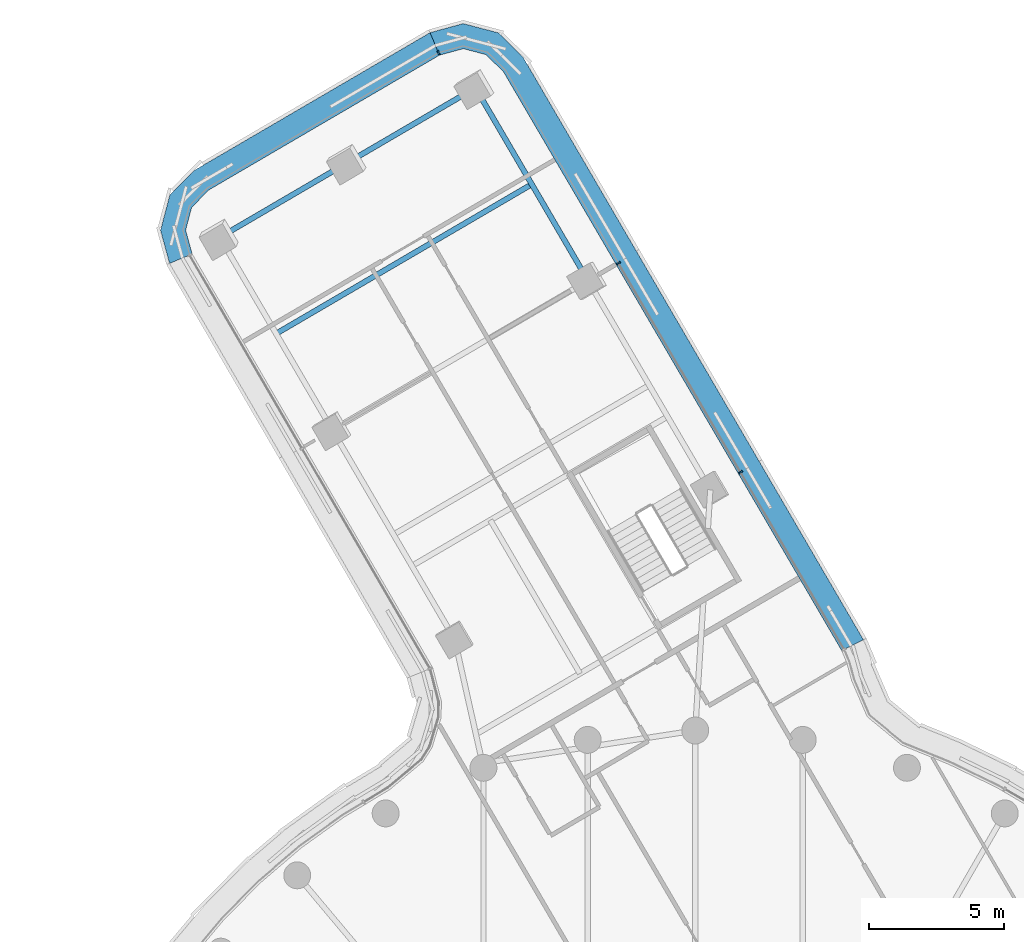
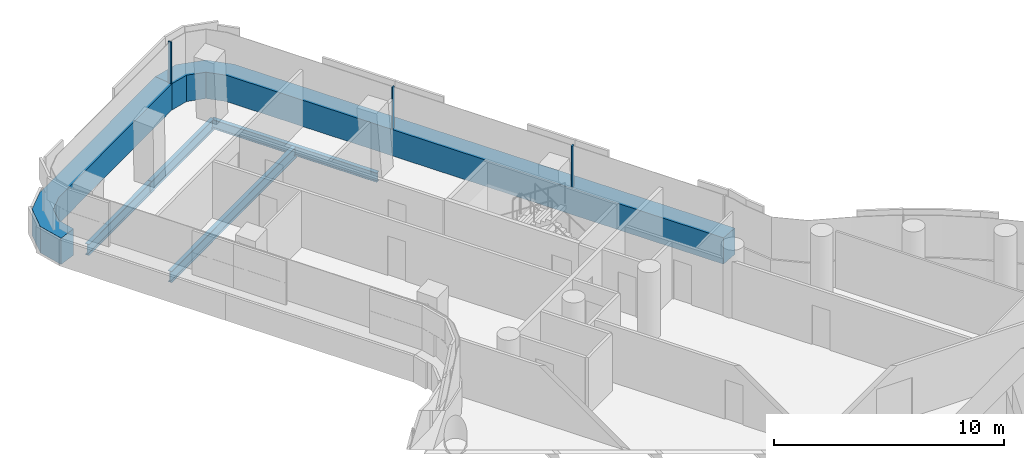
# One storey, part 17 of 35: 5 members, 4 beams, 2 elements without a shape of their own.
"""IFC4 building model written with IfcOpenShell, lengths in metres."""

import ifcopenshell
import ifcopenshell.guid

model = None  # the IFC model being written
_history = None  # IfcOwnerHistory: only IFC2X3 demands one
_inside = {}  # id of a spatial element -> (the spatial element, [elements in it])
_under = {}  # id of a project, library or spatial element -> (it, [spatial elements below it])
_declared = {}  # id of a project -> (the project, [libraries it declares])
_typed = {}  # id of a type object -> (the type object, [elements of that type])
_made_of = {}  # id of a material, layer set ... -> (it, [elements and type objects made of it])


def new_model(schema):
    """Start an empty IFC model of exactly this schema.

    Asked for "IFC4X3", IfcOpenShell would pick the latest addendum, in which some entities
    have other attributes; the version numbers below select the first issue.
    IFC2X3 requires an IfcOwnerHistory on every rooted entity: one is made here for all.
    """
    global model, _history
    if schema == "IFC4X3":
        model = ifcopenshell.file(schema_version=(4, 3, 0, 0))
    else:
        model = ifcopenshell.file(schema=schema)
    _inside.clear()
    _under.clear()
    _declared.clear()
    _typed.clear()
    _made_of.clear()
    _history = None
    if model.schema == "IFC2X3":
        org = make("IfcOrganization", Name="unknown")
        user = make(
            "IfcPersonAndOrganization",
            ThePerson=make("IfcPerson", FamilyName="unknown"),
            TheOrganization=org,
        )
        app = make(
            "IfcApplication",
            ApplicationDeveloper=org,
            Version="unknown",
            ApplicationFullName="unknown",
            ApplicationIdentifier="unknown",
        )
        _history = make(
            "IfcOwnerHistory",
            OwningUser=user,
            OwningApplication=app,
            ChangeAction="ADDED",
            CreationDate=0,
        )
    return model


def make(cls, **values):
    """One entity of the class cls with the attributes given. An attribute that is None is left unset."""
    return model.create_entity(
        cls, **{name: value for name, value in values.items() if value is not None}
    )


def rooted(cls, **values):
    """An entity with a GlobalId (a new one), such as an element, a storey or a relation."""
    return make(cls, GlobalId=ifcopenshell.guid.new(), OwnerHistory=_history, **values)


def si_unit(unit_type, name, prefix=None):
    """IfcSIUnit, for example si_unit("LENGTHUNIT", "METRE", prefix="MILLI")."""
    return make("IfcSIUnit", UnitType=unit_type, Prefix=prefix, Name=name)


def assignment(units):
    """IfcUnitAssignment: the units of a project."""
    return None if units is None else make("IfcUnitAssignment", Units=units)


def point(xyz):
    """IfcCartesianPoint."""
    return None if xyz is None else make("IfcCartesianPoint", Coordinates=xyz)


def direction(xyz):
    """IfcDirection."""
    return None if xyz is None else make("IfcDirection", DirectionRatios=xyz)


def frame(location, z_axis=None, x_axis=None):
    """IfcAxis2Placement3D, a coordinate frame: its origin and axes. An axis left out is left unset."""
    return make(
        "IfcAxis2Placement3D",
        Location=point(location),
        Axis=direction(z_axis),
        RefDirection=direction(x_axis),
    )


def frame_2d(location, x_axis=None):
    """IfcAxis2Placement2D, a coordinate frame in the plane: its origin and x axis."""
    return make(
        "IfcAxis2Placement2D", Location=point(location), RefDirection=direction(x_axis)
    )


def origin():
    """The frame at (0, 0, 0) with its axes left unset."""
    return frame((0.0, 0.0, 0.0))


def origin_2d():
    """The frame at (0, 0) in the plane with its x axis left unset."""
    return frame_2d((0.0, 0.0))


def place(relative_to, where):
    """IfcLocalPlacement: puts the frame where relative to a parent placement (None: the world)."""
    return make(
        "IfcLocalPlacement", PlacementRelTo=relative_to, RelativePlacement=where
    )


def context(
    kind, dimensions, precision=None, world=None, true_north=None, identifier=None
):
    """IfcGeometricRepresentationContext, for example the 3D "Model" context."""
    return make(
        "IfcGeometricRepresentationContext",
        ContextIdentifier=identifier,
        ContextType=kind,
        CoordinateSpaceDimension=dimensions,
        Precision=precision,
        WorldCoordinateSystem=world,
        TrueNorth=true_north,
    )


def subcontext(parent, identifier, kind, view, scale=None):
    """IfcGeometricRepresentationSubContext, for example "Body" below "Model"."""
    return make(
        "IfcGeometricRepresentationSubContext",
        ContextIdentifier=identifier,
        ContextType=kind,
        ParentContext=parent,
        TargetScale=scale,
        TargetView=view,
    )


def project(units=None, contexts=None):
    """IfcProject with its units and contexts."""
    return rooted(
        "IfcProject",
        Name="project",
        RepresentationContexts=contexts,
        UnitsInContext=assignment(units),
    )


def spatial(cls, under=None, at=None, **own):
    """A site, building, storey or space (cls), placed at a placement, below another one or the project."""
    s = rooted(cls, ObjectPlacement=at, **own)
    if under is not None:
        _under.setdefault(under.id(), (under, []))[1].append(s)
    return s


def polyline(points):
    """IfcPolyline through the points."""
    return make("IfcPolyline", Points=[point(p) for p in points])


def profile(cls, at=None, kind="AREA", **sizes):
    """A parametric profile (cls). Its sizes go by their IFC names, for example OverallWidth=200.0."""
    return make(cls, ProfileType=kind, Position=at, **sizes)


def rectangle(**sizes):
    """IfcRectangleProfileDef."""
    return profile("IfcRectangleProfileDef", **sizes)


def i_section(**sizes):
    """IfcIShapeProfileDef."""
    return profile("IfcIShapeProfileDef", **sizes)


def outline(outer, holes=None, kind="AREA"):
    """IfcArbitraryClosedProfileDef: a profile drawn as a closed curve; with holes, ...WithVoids."""
    if holes is None:
        return make("IfcArbitraryClosedProfileDef", ProfileType=kind, OuterCurve=outer)
    return make(
        "IfcArbitraryProfileDefWithVoids",
        ProfileType=kind,
        OuterCurve=outer,
        InnerCurves=holes,
    )


def extrude(swept, where, along, depth):
    """IfcExtrudedAreaSolid: the profile swept, set in the frame where, extruded along a direction by depth."""
    return make(
        "IfcExtrudedAreaSolid",
        SweptArea=swept,
        Position=where,
        ExtrudedDirection=direction(along),
        Depth=depth,
    )


def shape(context_of_items, identifier, shape_type, items):
    """IfcShapeRepresentation: the items that make up one representation, for example the "Body"."""
    return make(
        "IfcShapeRepresentation",
        ContextOfItems=context_of_items,
        RepresentationIdentifier=identifier,
        RepresentationType=shape_type,
        Items=items,
    )


def material(Name=None, Category=None):
    """IfcMaterial."""
    return make("IfcMaterial", Name=Name, Category=Category)


def layer(
    of_material, thickness, ventilated=None, Name=None, Category=None, Priority=None
):
    """IfcMaterialLayer: one layer of a wall or slab, of a material (None: an air gap)."""
    return make(
        "IfcMaterialLayer",
        Material=of_material,
        LayerThickness=thickness,
        IsVentilated=ventilated,
        Name=Name,
        Category=Category,
        Priority=Priority,
    )


def layer_set(layers, Name=None):
    """IfcMaterialLayerSet."""
    return make("IfcMaterialLayerSet", MaterialLayers=layers, LayerSetName=Name)


def material_profile(
    of_material, cross_section, Name=None, Category=None, Priority=None
):
    """IfcMaterialProfile: a cross section and its material."""
    return make(
        "IfcMaterialProfile",
        Name=Name,
        Material=of_material,
        Profile=cross_section,
        Priority=Priority,
        Category=Category,
    )


def profile_set(profiles, Name=None, composite=None):
    """IfcMaterialProfileSet."""
    return make(
        "IfcMaterialProfileSet",
        Name=Name,
        MaterialProfiles=profiles,
        CompositeProfile=composite,
    )


def made_of(thing, what):
    """Note that an element or type object is made of a material, layer set ...; save() writes the relation."""
    if what is not None:
        _made_of.setdefault(what.id(), (what, []))[1].append(thing)
    return thing


def type_object(cls, material=None, **own):
    """A type object (cls), such as IfcWallType, which elements share."""
    return made_of(rooted(cls, **own), material)


def element(
    cls,
    number,
    at=None,
    inside=None,
    cuts=None,
    type_object=None,
    material=None,
    context=None,
    identifier="Body",
    shape_type=None,
    held_by="IfcProductDefinitionShape",
    body=None,
    shapes=None,
    **own,
):
    """One element of the class cls, such as IfcWall. Its Tag is "e" and its number.

    at: its placement. inside: the storey or other place that contains it. cuts: it is an
    opening in that element (IfcRelVoidsElement). A single representation is given by context,
    identifier, shape_type and body (its items); several are given by shapes. held_by: the class
    of the entity that holds the representations. save() writes the other relations.
    """
    e = rooted(cls, Tag="e%d" % number, ObjectPlacement=at, **own)
    if body is not None:
        shapes = [shape(context, identifier, shape_type, body)]
    if shapes is not None:
        e.Representation = make(held_by, Representations=shapes)
    if inside is not None:
        _inside.setdefault(inside.id(), (inside, []))[1].append(e)
    if cuts is not None:
        rooted(
            "IfcRelVoidsElement", RelatingBuildingElement=cuts, RelatedOpeningElement=e
        )
    if type_object is not None:
        _typed.setdefault(type_object.id(), (type_object, []))[1].append(e)
    return made_of(e, material)


def aggregate(whole, parts):
    """IfcRelAggregates: a whole, such as a stair, and the parts it consists of."""
    return rooted("IfcRelAggregates", RelatingObject=whole, RelatedObjects=parts)


def save(model, path):
    """Write the relations noted so far, then the file.

    IfcRelAggregates (storeys below a building ...), IfcRelContainedInSpatialStructure (elements
    in a storey), IfcRelDefinesByType, IfcRelAssociatesMaterial and IfcRelDeclares: one each for
    every whole, place, type object, material and project.
    """
    for whole, parts in _under.values():
        aggregate(whole, parts)
    for where, things in _inside.values():
        rooted(
            "IfcRelContainedInSpatialStructure",
            RelatedElements=things,
            RelatingStructure=where,
        )
    for kind, things in _typed.values():
        rooted("IfcRelDefinesByType", RelatedObjects=things, RelatingType=kind)
    for what, things in _made_of.values():
        rooted("IfcRelAssociatesMaterial", RelatedObjects=things, RelatingMaterial=what)
    for by, libraries in _declared.values():
        rooted("IfcRelDeclares", RelatingContext=by, RelatedDefinitions=libraries)
    model.write(path)


model = new_model("IFC4")

# Units and contexts
model_context = context("Model", 3, precision=1e-05, world=origin(), true_north=direction((0.0, 1.0)))
body_context = subcontext(model_context, "Body", "Model", "MODEL_VIEW")
ifc_project = project(units=[si_unit("LENGTHUNIT", "METRE"), si_unit("AREAUNIT", "SQUARE_METRE"), si_unit("VOLUMEUNIT", "CUBIC_METRE"), si_unit("PLANEANGLEUNIT", "RADIAN"), si_unit("MASSUNIT", "GRAM", prefix="KILO")], contexts=[model_context])

# Site, building, storey
site_placement = place(None, origin())
site = spatial("IfcSite", under=ifc_project, at=site_placement, CompositionType="ELEMENT")
building_placement = place(site_placement, origin())
building = spatial("IfcBuilding", under=site, at=building_placement, Name="Tamarind Cross Interchange Tower", CompositionType="ELEMENT")
storey_placement = place(building_placement, frame((0.0, 0.0, 144.25)))
storey = spatial("IfcBuildingStorey", under=building, at=storey_placement, Name="L35", CompositionType="ELEMENT", Elevation=144.25)

# Beams
ifc_material_1 = material(Name="Steel Q355B", Category="steel")
ifc_material_profile_1 = material_profile(ifc_material_1, i_section(OverallWidth=0.198974609375, OverallDepth=0.49609375, WebThickness=0.009033203125, FlangeThickness=0.013916015625, FilletRadius=0.012939453125, at=origin_2d()), Name="HN 496x199x9x14")
ifc_profile_set_1 = profile_set([ifc_material_profile_1], Name="Steel Q355B")
beam_type_1 = type_object("IfcBeamType", Name="Composite beam HN 496x199x9x14 Q355B", PredefinedType="BEAM", material=ifc_profile_set_1)
beam_1_placement = place(storey_placement, frame((-8.162841796875, 46.870849609375, -0.387939453125), z_axis=(0.504515287222, -0.863402759411, 0.0), x_axis=(0.863402759411, 0.504515287222, 0.0)))
element("IfcBeam", 1, at=beam_1_placement, inside=storey, type_object=beam_type_1, Name="Beam N-edgeem5", PredefinedType="BEAM", context=body_context, shape_type="SweptSolid", body=[
    extrude(i_section(OverallWidth=0.198974609375, OverallDepth=0.49609375, WebThickness=0.009033203125, FlangeThickness=0.013916015625, FilletRadius=0.012939453125, at=origin_2d()), origin(), (0.0, 0.0, 1.0), 8.291748046875),
])
ifc_material_profile_2 = material_profile(ifc_material_1, i_section(OverallWidth=0.199951171875, OverallDepth=0.60009765625, WebThickness=0.010986328125, FlangeThickness=0.01708984375, FilletRadius=0.012939453125, at=origin_2d()), Name="HN 600x200x11x17")
ifc_profile_set_2 = profile_set([ifc_material_profile_2], Name="Steel Q355B")
beam_type_2 = type_object("IfcBeamType", Name="Composite beam HN 600x200x11x17 Q355B", PredefinedType="BEAM", material=ifc_profile_set_2)
for number, where, z_axis, x_axis, name in (
    (2, (-8.162841796875, 46.870849609375, -0.43994140625), (-0.863389021072, -0.504538797609, 0.0), (0.504538797609, -0.863389021072, 0.0), "Beam N-tip0"),
    (3, (-12.911376953125, 44.095947265625, -0.43994140625), (-0.863419655881, -0.50448637032, 0.0), (0.50448637032, -0.863419655881, 0.0), "Beam N-tip1"),
):
    element("IfcBeam", number, at=place(storey_placement, frame(where, z_axis=z_axis, x_axis=x_axis)), inside=storey, type_object=beam_type_2, Name=name, PredefinedType="BEAM", context=body_context, shape_type="SweptSolid", body=[
        extrude(i_section(OverallWidth=0.199951171875, OverallDepth=0.60009765625, WebThickness=0.010986328125, FlangeThickness=0.01708984375, FilletRadius=0.012939453125, at=origin_2d()), origin(), (0.0, 0.0, 1.0), 5.5),
    ])
beam_2_placement = place(storey_placement, frame((-6.071044921875, 43.291259765625, -0.43994140625), z_axis=(-0.863409988171, -0.504502916074, 0.0), x_axis=(0.504502916074, -0.863409988171, 0.0)))
element("IfcBeam", 4, at=beam_2_placement, inside=storey, type_object=beam_type_2, Name="Beam N-x434", PredefinedType="BEAM", context=body_context, shape_type="SweptSolid", body=[
    extrude(i_section(OverallWidth=0.199951171875, OverallDepth=0.60009765625, WebThickness=0.010986328125, FlangeThickness=0.01708984375, FilletRadius=0.012939453125, at=origin_2d()), origin(), (0.0, 0.0, 1.0), 11.0),
])

# Curtain wall, member
ifc_material_2 = material(Name="Aluminium 6063-T6", Category="aluminium")
ifc_layer = layer(ifc_material_2, 0.159912109375)
ifc_layer_set = layer_set([ifc_layer], Name="Aluminium 6063-T6")
curtain_wall_type = type_object("IfcCurtainWallType", Name="Office curtain wall, 9.0 m bays", PredefinedType="NOTDEFINED", material=ifc_layer_set)
curtain_wall_1_placement = place(storey_placement, origin())
curtain_wall_1 = element("IfcCurtainWall", 5, at=curtain_wall_1_placement, inside=storey, type_object=curtain_wall_type, Name="CWS-L35-11", PredefinedType="NOTDEFINED")
ifc_material_3 = material(Name="Aluminium and insulated spandrel panel", Category="aluminium")
member_type_1 = type_object("IfcMemberType", Name="Floor-edge blade transom", PredefinedType="USERDEFINED", material=ifc_material_3)
member_1_placement = place(storey_placement, origin())
member_1 = element("IfcMember", 6, at=member_1_placement, type_object=member_type_1, Name="CWT-L35-11", ObjectType="TRANSOM", PredefinedType="USERDEFINED", context=body_context, shape_type="SweptSolid", body=[
    extrude(outline(polyline([(5.44287109375, 25.965576171875), (-7.1181640625, 47.461669921875), (-7.768798828125, 48.10546875), (-8.614501953125, 48.327392578125), (-9.49755859375, 48.0859375), (-9.849365234375, 48.9228515625), (-8.619384765625, 49.25927734375), (-7.30712890625, 48.914794921875), (-6.40087890625, 48.01806640625), (6.24951171875, 26.36865234375), (5.44287109375, 25.965576171875)])), origin(), (0.0, 0.0, 1.0), 1.39990234375),
])

curtain_wall_2_placement = place(storey_placement, origin())
curtain_wall_2 = element("IfcCurtainWall", 7, at=curtain_wall_2_placement, inside=storey, type_object=curtain_wall_type, Name="CWS-L35-12", PredefinedType="NOTDEFINED")
member_2_placement = place(storey_placement, origin())
member_2 = element("IfcMember", 8, at=member_2_placement, type_object=member_type_1, Name="CWT-L35-12", ObjectType="TRANSOM", PredefinedType="USERDEFINED", context=body_context, shape_type="SweptSolid", body=[
    extrude(outline(polyline([(-9.49755859375, 48.0859375), (-18.0634765625, 43.08056640625), (-18.707275390625, 42.429931640625), (-18.92919921875, 41.583984375), (-18.6875, 40.70068359375), (-19.524658203125, 40.349853515625), (-19.86083984375, 41.5791015625), (-19.5166015625, 42.8916015625), (-18.619873046875, 43.7978515625), (-9.849365234375, 48.9228515625), (-9.49755859375, 48.0859375)])), origin(), (0.0, 0.0, 1.0), 1.39990234375),
])

# Member
ifc_material_profile_3 = material_profile(ifc_material_2, rectangle(XDim=0.06005859375, YDim=0.159912109375, at=origin_2d()), Name="Mullion CW1")
ifc_profile_set_3 = profile_set([ifc_material_profile_3], Name="Aluminium 6063-T6")
member_type_2 = type_object("IfcMemberType", Name="Mullion CW1", PredefinedType="MULLION", material=ifc_profile_set_3)
member_3_placement = place(storey_placement, frame((1.68310546875, 32.597900390625, 1.39990234375), z_axis=(0.0, 0.0, 1.0), x_axis=(-0.50451556849, 0.863402595057, 0.0)))
member_3 = element("IfcMember", 9, at=member_3_placement, type_object=member_type_2, Name="CWM-L35-11-01", PredefinedType="MULLION", context=body_context, shape_type="SweptSolid", body=[
    extrude(rectangle(XDim=0.06005859375, YDim=0.159912109375, at=origin_2d()), origin(), (0.0, 0.0, 1.0), 2.210205078125),
])

member_4_placement = place(storey_placement, frame((-2.850341796875, 40.356201171875, 1.39990234375), z_axis=(0.0, 0.0, 1.0), x_axis=(-0.50451556849, 0.863402595057, 0.0)))
member_4 = element("IfcMember", 10, at=member_4_placement, type_object=member_type_2, Name="CWM-L35-11-02", PredefinedType="MULLION", context=body_context, shape_type="SweptSolid", body=[
    extrude(rectangle(XDim=0.06005859375, YDim=0.159912109375, at=origin_2d()), origin(), (0.0, 0.0, 1.0), 2.210205078125),
])

aggregate(curtain_wall_1, [member_3, member_4, member_1])

member_5_placement = place(storey_placement, frame((-9.53662109375, 48.178955078125, 1.39990234375), z_axis=(0.0, 0.0, 1.0), x_axis=(-0.921868562237, -0.387502714777, 0.0)))
member_5 = element("IfcMember", 11, at=member_5_placement, type_object=member_type_2, Name="CWM-L35-12-00", PredefinedType="MULLION", context=body_context, shape_type="SweptSolid", body=[
    extrude(rectangle(XDim=0.06005859375, YDim=0.159912109375, at=origin_2d()), origin(), (0.0, 0.0, 1.0), 2.210205078125),
])

aggregate(curtain_wall_2, [member_5, member_2])

save(model, "model.ifc")
